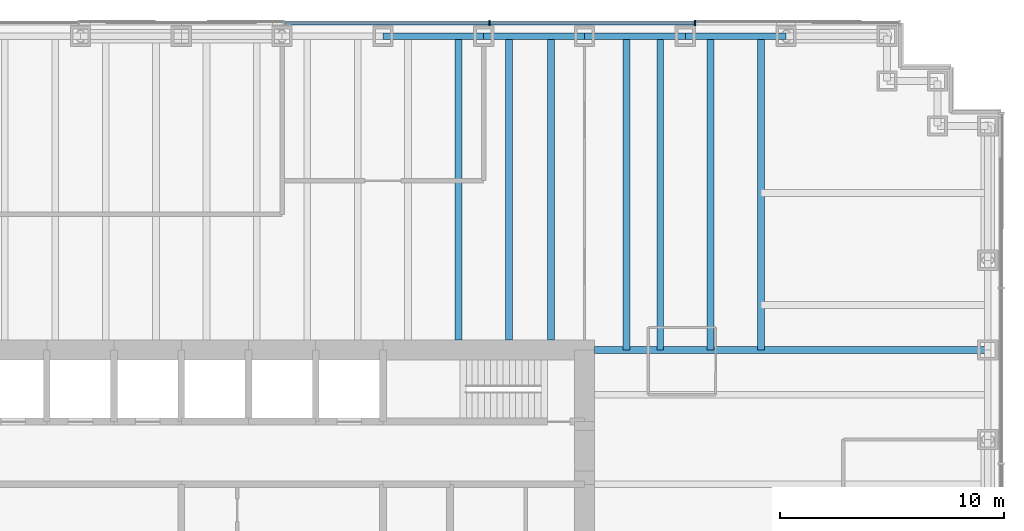
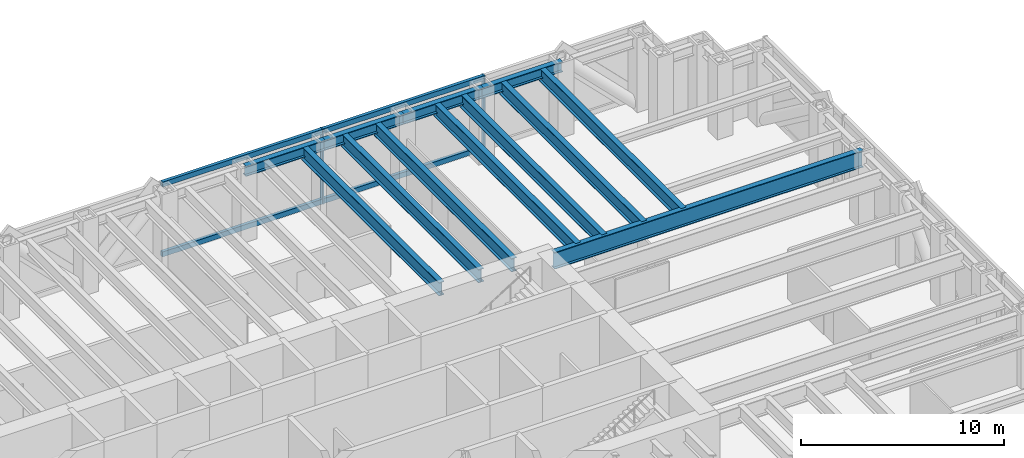
# One storey, part 6 of 13: 12 beams, 6 members, 1 element without a shape of its own.
"""IFC4 building model written with IfcOpenShell, lengths in metres."""

from ifc_helpers import new_model, si_unit, direction, frame, origin, origin_2d, place, context, subcontext, project, spatial, rectangle, i_section, extrude, material, material_profile, profile_set, type_object, element, aggregate, save


model = new_model("IFC4")

# Units and contexts
model_context = context("Model", 3, precision=1e-05, world=origin(), true_north=direction((0.0, 1.0)))
body_context = subcontext(model_context, "Body", "Model", "MODEL_VIEW")
ifc_project = project(units=[si_unit("LENGTHUNIT", "METRE"), si_unit("AREAUNIT", "SQUARE_METRE"), si_unit("VOLUMEUNIT", "CUBIC_METRE"), si_unit("PLANEANGLEUNIT", "RADIAN"), si_unit("MASSUNIT", "GRAM", prefix="KILO")], contexts=[model_context])

# Site, building, storey
site_placement = place(None, origin())
site = spatial("IfcSite", under=ifc_project, at=site_placement, CompositionType="ELEMENT")
building_placement = place(site_placement, origin())
building = spatial("IfcBuilding", under=site, at=building_placement, Name="Rheinbord Bourse Tower", CompositionType="ELEMENT")
storey_placement = place(building_placement, frame((0.0, 0.0, 63.5)))
storey = spatial("IfcBuildingStorey", under=building, at=storey_placement, Name="L13", CompositionType="ELEMENT", Elevation=63.5)

# Curtain wall, members
ifc_material_1 = material(Name="Dark glass and black aluminium", Category="aluminium")
curtain_wall_type = type_object("IfcCurtainWallType", Name="CW1 DARK GLASS CURTAIN WALL", PredefinedType="USERDEFINED", material=ifc_material_1)
curtain_wall_placement = place(storey_placement, origin())
curtain_wall = element("IfcCurtainWall", 1, at=curtain_wall_placement, inside=storey, type_object=curtain_wall_type, Name="Curtain wall CW1 N L13", ObjectType="UNITISED CURTAIN WALL", PredefinedType="USERDEFINED")
ifc_material_2 = material(Name="Black anodised aluminium", Category="aluminium")
ifc_material_profile_1 = material_profile(ifc_material_2, rectangle(XDim=0.25, YDim=0.080078125, at=origin_2d()), Name="CW1 MULLION 80x250")
ifc_profile_set_1 = profile_set([ifc_material_profile_1], Name="Black anodised aluminium")
member_type_1 = type_object("IfcMemberType", Name="CW1 BLACK MULLION", PredefinedType="MULLION", material=ifc_profile_set_1)
member_1_placement = place(storey_placement, frame((58.928466796875, 46.60009765625, 0.0), z_axis=(0.0, 0.0, 1.0), x_axis=(0.0, -1.0, 0.0)))
member_1 = element("IfcMember", 2, at=member_1_placement, type_object=member_type_1, Name="CW1 mullion 2", PredefinedType="MULLION", context=body_context, shape_type="SweptSolid", body=[
    extrude(rectangle(XDim=0.25, YDim=0.080078125, at=origin_2d()), origin(), (0.0, 0.0, 1.0), 4.5),
])
member_2_placement = place(storey_placement, frame((49.757080078125, 46.60009765625, 0.0), z_axis=(0.0, 0.0, 1.0), x_axis=(0.0, -1.0, 0.0)))
member_2 = element("IfcMember", 3, at=member_2_placement, type_object=member_type_1, Name="CW1 mullion 3", PredefinedType="MULLION", context=body_context, shape_type="SweptSolid", body=[
    extrude(rectangle(XDim=0.25, YDim=0.080078125, at=origin_2d()), origin(), (0.0, 0.0, 1.0), 4.5),
])
ifc_material_3 = material(Name="Black anodised aluminium", Category="aluminium")
ifc_material_profile_2 = material_profile(ifc_material_3, rectangle(XDim=0.179931640625, YDim=0.300048828125, at=origin_2d()), Name="CW1 TRANSOM 300x180")
ifc_profile_set_2 = profile_set([ifc_material_profile_2], Name="Black anodised aluminium")
member_type_2 = type_object("IfcMemberType", Name="CW1 BLACK TRANSOM", PredefinedType="USERDEFINED", material=ifc_profile_set_2)
member_3_placement = place(storey_placement, frame((58.888671875, 46.60009765625, 0.14990234375), z_axis=(-1.0, 0.0, 0.0), x_axis=(0.0, -1.0, 0.0)))
member_3 = element("IfcMember", 4, at=member_3_placement, type_object=member_type_2, Name="CW1 transom 2.1", ObjectType="TRANSOM", PredefinedType="USERDEFINED", context=body_context, shape_type="SweptSolid", body=[
    extrude(rectangle(XDim=0.179931640625, YDim=0.300048828125, at=origin_2d()), origin(), (0.0, 0.0, 1.0), 9.091552734375),
])
member_4_placement = place(storey_placement, frame((58.888671875, 46.60009765625, 4.35009765625), z_axis=(-1.0, 0.0, 0.0), x_axis=(0.0, -1.0, 0.0)))
member_4 = element("IfcMember", 5, at=member_4_placement, type_object=member_type_2, Name="CW1 transom 2.2", ObjectType="TRANSOM", PredefinedType="USERDEFINED", context=body_context, shape_type="SweptSolid", body=[
    extrude(rectangle(XDim=0.179931640625, YDim=0.300048828125, at=origin_2d()), origin(), (0.0, 0.0, 1.0), 9.091552734375),
])
member_5_placement = place(storey_placement, frame((49.717041015625, 46.60009765625, 0.14990234375), z_axis=(-1.0, 0.0, 0.0), x_axis=(0.0, -1.0, 0.0)))
member_5 = element("IfcMember", 6, at=member_5_placement, type_object=member_type_2, Name="CW1 transom 3.1", ObjectType="TRANSOM", PredefinedType="USERDEFINED", context=body_context, shape_type="SweptSolid", body=[
    extrude(rectangle(XDim=0.179931640625, YDim=0.300048828125, at=origin_2d()), origin(), (0.0, 0.0, 1.0), 9.09130859375),
])
member_6_placement = place(storey_placement, frame((49.717041015625, 46.60009765625, 4.35009765625), z_axis=(-1.0, 0.0, 0.0), x_axis=(0.0, -1.0, 0.0)))
member_6 = element("IfcMember", 7, at=member_6_placement, type_object=member_type_2, Name="CW1 transom 3.2", ObjectType="TRANSOM", PredefinedType="USERDEFINED", context=body_context, shape_type="SweptSolid", body=[
    extrude(rectangle(XDim=0.179931640625, YDim=0.300048828125, at=origin_2d()), origin(), (0.0, 0.0, 1.0), 9.09130859375),
])
aggregate(curtain_wall, [member_1, member_2, member_3, member_4, member_5, member_6])

# Beams
ifc_material_4 = material(Name="Steel S460", Category="steel")
ifc_material_profile_3 = material_profile(ifc_material_4, i_section(OverallWidth=0.300048828125, OverallDepth=0.800048828125, WebThickness=0.017578125, FlangeThickness=0.032958984375, at=origin_2d()), Name="HEB 800")
ifc_profile_set_3 = profile_set([ifc_material_profile_3], Name="Steel S460")
beam_type_1 = type_object("IfcBeamType", Name="FLOOR BEAM HEB 800", PredefinedType="BEAM", material=ifc_profile_set_3)
for number, where, z_axis, x_axis, name in (
    (8, (48.375, 46.0, 3.919921875), (0.0, -1.0, 0.0), (1.0, 0.0, 0.0), "Floor beam N-45b L14"),
    (9, (50.625, 46.0, 3.919921875), (0.0, -1.0, 0.0), (1.0, 0.0, 0.0), "Floor beam N-49.5a L14"),
    (10, (52.5, 46.0, 3.919921875), (0.0, -1.0, 0.0), (1.0, 0.0, 0.0), "Floor beam N-49.5b L14"),
):
    element("IfcBeam", number, at=place(storey_placement, frame(where, z_axis=z_axis, x_axis=x_axis)), inside=storey, type_object=beam_type_1, Name=name, PredefinedType="BEAM", context=body_context, shape_type="SweptSolid", body=[
        extrude(i_section(OverallWidth=0.300048828125, OverallDepth=0.800048828125, WebThickness=0.017578125, FlangeThickness=0.032958984375, at=origin_2d()), origin(), (0.0, 0.0, 1.0), 13.550048828125),
    ])
for number, where, z_axis, x_axis, name in (
    (11, (55.875, 46.0, 3.919921875), (0.0, -1.0, 0.0), (1.0, 0.0, 0.0), "Floor beam N-54a L14"),
    (12, (57.375, 46.0, 3.919921875), (0.0, -1.0, 0.0), (1.0, 0.0, 0.0), "Floor beam N-54b L14"),
    (13, (59.625, 46.0, 3.919921875), (0.0, -1.0, 0.0), (1.0, 0.0, 0.0), "Floor beam N-58.5a L14"),
    (14, (61.875, 46.0, 3.919921875), (0.0, -1.0, 0.0), (1.0, 0.0, 0.0), "Floor beam N-58.5b L14"),
):
    element("IfcBeam", number, at=place(storey_placement, frame(where, z_axis=z_axis, x_axis=x_axis)), inside=storey, type_object=beam_type_1, Name=name, PredefinedType="BEAM", context=body_context, shape_type="SweptSolid", body=[
        extrude(i_section(OverallWidth=0.300048828125, OverallDepth=0.800048828125, WebThickness=0.017578125, FlangeThickness=0.032958984375, at=origin_2d()), origin(), (0.0, 0.0, 1.0), 14.0),
    ])
ifc_material_5 = material(Name="Steel S460", Category="steel")
ifc_material_profile_4 = material_profile(ifc_material_5, i_section(OverallWidth=0.302001953125, OverallDepth=1.008056640625, WebThickness=0.02099609375, FlangeThickness=0.0400390625, at=origin_2d()), Name="HEM 1000")
ifc_profile_set_4 = profile_set([ifc_material_profile_4], Name="Steel S460")
beam_type_2 = type_object("IfcBeamType", Name="GIRDER HEM 1000", PredefinedType="BEAM", material=ifc_profile_set_4)
beam_placement = place(storey_placement, frame((54.449951171875, 32.0, 3.81591796875), z_axis=(1.0, 0.0, 0.0), x_axis=(0.0, 1.0, 0.0)))
element("IfcBeam", 15, at=beam_placement, inside=storey, type_object=beam_type_2, Name="Girder east 32 L14", PredefinedType="BEAM", context=body_context, shape_type="SweptSolid", body=[
    extrude(i_section(OverallWidth=0.302001953125, OverallDepth=1.008056640625, WebThickness=0.02099609375, FlangeThickness=0.0400390625, at=origin_2d()), origin(), (0.0, 0.0, 1.0), 17.550048828125),
])
ifc_material_6 = material(Name="Steel S460", Category="steel")
ifc_material_profile_5 = material_profile(ifc_material_6, i_section(OverallWidth=0.304931640625, OverallDepth=0.6201171875, WebThickness=0.02099609375, FlangeThickness=0.0400390625, at=origin_2d()), Name="HEM 600")
ifc_profile_set_5 = profile_set([ifc_material_profile_5], Name="Steel S460")
beam_type_3 = type_object("IfcBeamType", Name="SPANDREL HEM 600", PredefinedType="SPANDREL", material=ifc_profile_set_5)
for number, where, z_axis, x_axis, name in (
    (16, (63.0, 46.0, 4.010009765625), (-1.0, 0.0, 0.0), (0.0, -1.0, 0.0), "Spandrel N-63-N-58.5 under L14"),
    (17, (58.5, 46.0, 4.010009765625), (-1.0, 0.0, 0.0), (0.0, -1.0, 0.0), "Spandrel N-58.5-N-54 under L14"),
    (18, (54.0, 46.0, 4.010009765625), (-1.0, 0.0, 0.0), (0.0, -1.0, 0.0), "Spandrel N-54-N-49.5 under L14"),
    (19, (49.5, 46.0, 4.010009765625), (-1.0, 0.0, 0.0), (0.0, -1.0, 0.0), "Spandrel N-49.5-N-45 under L14"),
):
    element("IfcBeam", number, at=place(storey_placement, frame(where, z_axis=z_axis, x_axis=x_axis)), inside=storey, type_object=beam_type_3, Name=name, PredefinedType="SPANDREL", context=body_context, shape_type="SweptSolid", body=[
        extrude(i_section(OverallWidth=0.304931640625, OverallDepth=0.6201171875, WebThickness=0.02099609375, FlangeThickness=0.0400390625, at=origin_2d()), origin(), (0.0, 0.0, 1.0), 4.5),
    ])

save(model, "model.ifc")
